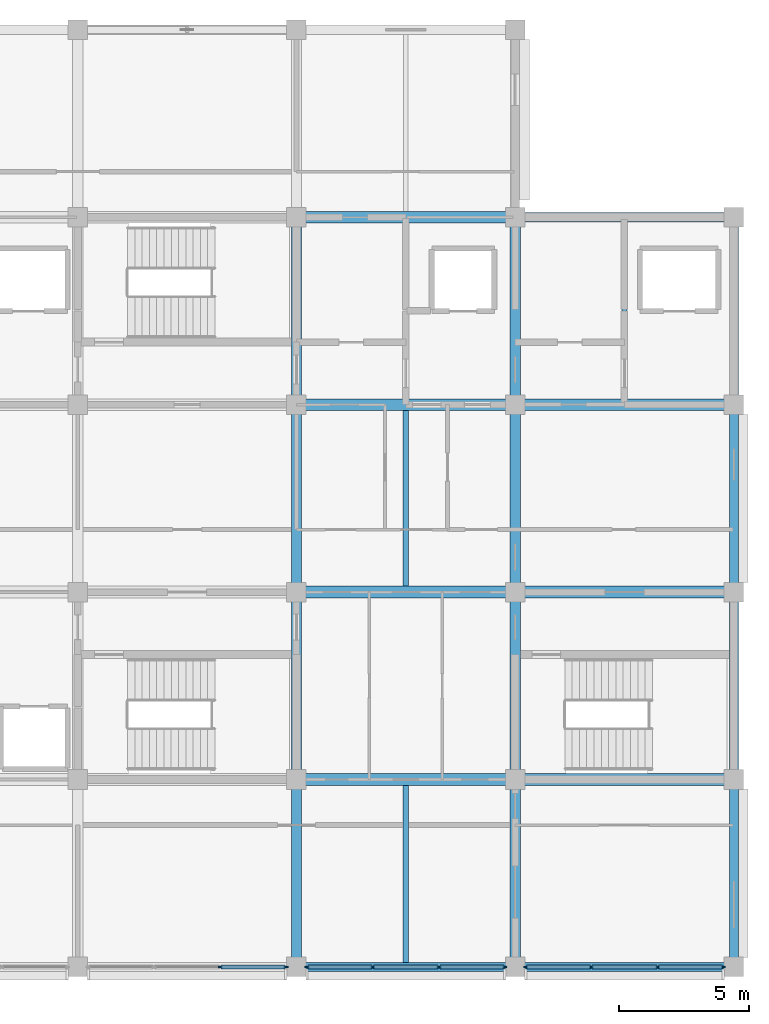
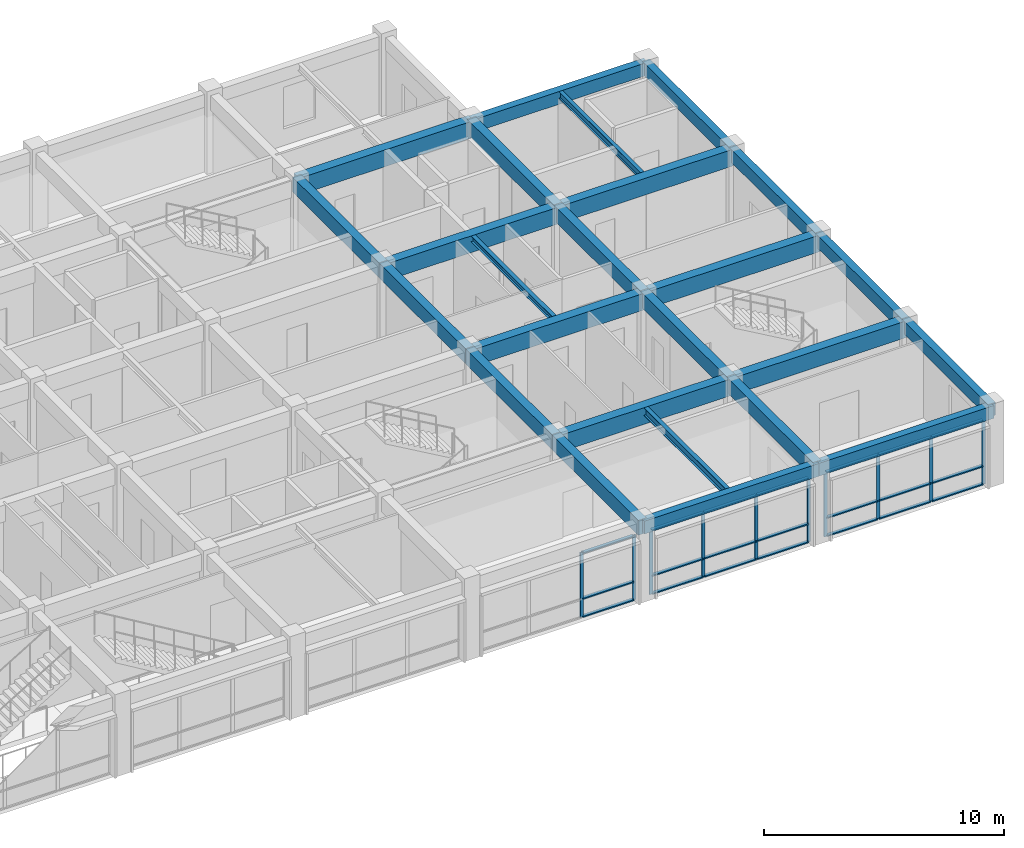
# One storey, part 9 of 27: 31 members, 25 beams, 3 elements without a shape of their own.
"""IFC4 building model written with IfcOpenShell, lengths in metres."""

from ifc_helpers import new_model, si_unit, direction, frame, origin, origin_2d, place, context, subcontext, project, spatial, rectangle, i_section, extrude, material, layer, layer_set, material_profile, profile_set, type_object, element, aggregate, save


model = new_model("IFC4")

# Units and contexts
model_context = context("Model", 3, precision=1e-05, world=origin(), true_north=direction((0.0, 1.0)))
body_context = subcontext(model_context, "Body", "Model", "MODEL_VIEW")
ifc_project = project(units=[si_unit("LENGTHUNIT", "METRE"), si_unit("AREAUNIT", "SQUARE_METRE"), si_unit("VOLUMEUNIT", "CUBIC_METRE"), si_unit("PLANEANGLEUNIT", "RADIAN"), si_unit("MASSUNIT", "GRAM", prefix="KILO")], contexts=[model_context])

# Site, building, storey
site_placement = place(None, origin())
site = spatial("IfcSite", under=ifc_project, at=site_placement, CompositionType="ELEMENT")
building_placement = place(site_placement, origin())
building = spatial("IfcBuilding", under=site, at=building_placement, Name="Chengyuan Square Courthouse", CompositionType="ELEMENT")
storey_placement = place(building_placement, frame((0.0, 0.0, 39.300048828125)))
storey = spatial("IfcBuildingStorey", under=building, at=storey_placement, Name="L09", CompositionType="ELEMENT", Elevation=39.300048828125)

# Beams
ifc_material_1 = material(Name="Concrete C40", Category="concrete")
ifc_material_profile_1 = material_profile(ifc_material_1, rectangle(XDim=0.449951171875, YDim=0.85009765625, at=origin_2d()), Name="RC-BM-450x850")
ifc_profile_set_1 = profile_set([ifc_material_profile_1], Name="Concrete C40")
beam_type_1 = type_object("IfcBeamType", Name="BM-01", PredefinedType="USERDEFINED", material=ifc_profile_set_1)
beam_1_placement = place(storey_placement, frame((109.199951171875, 86.39990234375, 3.52490234375), z_axis=(1.0, 0.0, 0.0), x_axis=(0.0, 1.0, 0.0)))
element("IfcBeam", 1, at=beam_1_placement, inside=storey, type_object=beam_type_1, Name="Girder BM-L09-3915", ObjectType="GIRDER", PredefinedType="USERDEFINED", context=body_context, shape_type="SweptSolid", body=[
    extrude(rectangle(XDim=0.449951171875, YDim=0.85009765625, at=origin_2d()), origin(), (0.0, 0.0, 1.0), 8.400146484375),
])
beam_2_placement = place(storey_placement, frame((117.60009765625, 86.39990234375, 3.52490234375), z_axis=(1.0, 0.0, 0.0), x_axis=(0.0, 1.0, 0.0)))
element("IfcBeam", 2, at=beam_2_placement, inside=storey, type_object=beam_type_1, Name="Girder BM-L09-3916", ObjectType="GIRDER", PredefinedType="USERDEFINED", context=body_context, shape_type="SweptSolid", body=[
    extrude(rectangle(XDim=0.449951171875, YDim=0.85009765625, at=origin_2d()), origin(), (0.0, 0.0, 1.0), 8.39990234375),
])
beam_3_placement = place(storey_placement, frame((109.199951171875, 93.60009765625, 3.52490234375), z_axis=(1.0, 0.0, 0.0), x_axis=(0.0, 1.0, 0.0)))
element("IfcBeam", 3, at=beam_3_placement, inside=storey, type_object=beam_type_1, Name="Girder BM-L09-3925", ObjectType="GIRDER", PredefinedType="USERDEFINED", context=body_context, shape_type="SweptSolid", body=[
    extrude(rectangle(XDim=0.449951171875, YDim=0.85009765625, at=origin_2d()), origin(), (0.0, 0.0, 1.0), 8.400146484375),
])
beam_4_placement = place(storey_placement, frame((117.60009765625, 93.60009765625, 3.52490234375), z_axis=(1.0, 0.0, 0.0), x_axis=(0.0, 1.0, 0.0)))
element("IfcBeam", 4, at=beam_4_placement, inside=storey, type_object=beam_type_1, Name="Girder BM-L09-3926", ObjectType="GIRDER", PredefinedType="USERDEFINED", context=body_context, shape_type="SweptSolid", body=[
    extrude(rectangle(XDim=0.449951171875, YDim=0.85009765625, at=origin_2d()), origin(), (0.0, 0.0, 1.0), 8.39990234375),
])
beam_5_placement = place(storey_placement, frame((109.199951171875, 100.800048828125, 3.52490234375), z_axis=(1.0, 0.0, 0.0), x_axis=(0.0, 1.0, 0.0)))
element("IfcBeam", 5, at=beam_5_placement, inside=storey, type_object=beam_type_1, Name="Girder BM-L09-3935", ObjectType="GIRDER", PredefinedType="USERDEFINED", context=body_context, shape_type="SweptSolid", body=[
    extrude(rectangle(XDim=0.449951171875, YDim=0.85009765625, at=origin_2d()), origin(), (0.0, 0.0, 1.0), 8.400146484375),
])
beam_6_placement = place(storey_placement, frame((117.60009765625, 100.800048828125, 3.52490234375), z_axis=(1.0, 0.0, 0.0), x_axis=(0.0, 1.0, 0.0)))
element("IfcBeam", 6, at=beam_6_placement, inside=storey, type_object=beam_type_1, Name="Girder BM-L09-3936", ObjectType="GIRDER", PredefinedType="USERDEFINED", context=body_context, shape_type="SweptSolid", body=[
    extrude(rectangle(XDim=0.449951171875, YDim=0.85009765625, at=origin_2d()), origin(), (0.0, 0.0, 1.0), 8.39990234375),
])
beam_7_placement = place(storey_placement, frame((109.199951171875, 108.0, 3.52490234375), z_axis=(1.0, 0.0, 0.0), x_axis=(0.0, 1.0, 0.0)))
element("IfcBeam", 7, at=beam_7_placement, inside=storey, type_object=beam_type_1, Name="Girder BM-L09-3945", ObjectType="GIRDER", PredefinedType="USERDEFINED", context=body_context, shape_type="SweptSolid", body=[
    extrude(rectangle(XDim=0.449951171875, YDim=0.85009765625, at=origin_2d()), origin(), (0.0, 0.0, 1.0), 8.400146484375),
])
ifc_material_profile_2 = material_profile(ifc_material_1, rectangle(XDim=0.39990234375, YDim=0.75, at=origin_2d()), Name="RC-BM-400x750")
ifc_profile_set_2 = profile_set([ifc_material_profile_2], Name="Concrete C40")
beam_type_2 = type_object("IfcBeamType", Name="BM-02", PredefinedType="USERDEFINED", material=ifc_profile_set_2)
beam_8_placement = place(storey_placement, frame((109.199951171875, 79.199951171875, 3.574951171875), z_axis=(0.0, 1.0, 0.0), x_axis=(-1.0, 0.0, 0.0)))
element("IfcBeam", 8, at=beam_8_placement, inside=storey, type_object=beam_type_2, Name="Girder BM-L09-3994", ObjectType="GIRDER", PredefinedType="USERDEFINED", context=body_context, shape_type="SweptSolid", body=[
    extrude(rectangle(XDim=0.39990234375, YDim=0.75, at=origin_2d()), origin(), (0.0, 0.0, 1.0), 7.199951171875),
])
beam_9_placement = place(storey_placement, frame((109.199951171875, 86.39990234375, 3.574951171875), z_axis=(0.0, 1.0, 0.0), x_axis=(-1.0, 0.0, 0.0)))
element("IfcBeam", 9, at=beam_9_placement, inside=storey, type_object=beam_type_2, Name="Girder BM-L09-3995", ObjectType="GIRDER", PredefinedType="USERDEFINED", context=body_context, shape_type="SweptSolid", body=[
    extrude(rectangle(XDim=0.39990234375, YDim=0.75, at=origin_2d()), origin(), (0.0, 0.0, 1.0), 7.2001953125),
])
for number, where, z_axis, x_axis, name in (
    (10, (109.199951171875, 93.60009765625, 3.574951171875), (0.0, 1.0, 0.0), (-1.0, 0.0, 0.0), "Girder BM-L09-3996"),
    (11, (109.199951171875, 100.800048828125, 3.574951171875), (0.0, 1.0, 0.0), (-1.0, 0.0, 0.0), "Girder BM-L09-3997"),
    (12, (117.60009765625, 79.199951171875, 3.574951171875), (0.0, 1.0, 0.0), (-1.0, 0.0, 0.0), "Girder BM-L09-3999"),
):
    element("IfcBeam", number, at=place(storey_placement, frame(where, z_axis=z_axis, x_axis=x_axis)), inside=storey, type_object=beam_type_2, Name=name, ObjectType="GIRDER", PredefinedType="USERDEFINED", context=body_context, shape_type="SweptSolid", body=[
        extrude(rectangle(XDim=0.39990234375, YDim=0.75, at=origin_2d()), origin(), (0.0, 0.0, 1.0), 7.199951171875),
    ])
beam_10_placement = place(storey_placement, frame((117.60009765625, 86.39990234375, 3.574951171875), z_axis=(0.0, 1.0, 0.0), x_axis=(-1.0, 0.0, 0.0)))
element("IfcBeam", 13, at=beam_10_placement, inside=storey, type_object=beam_type_2, Name="Girder BM-L09-4000", ObjectType="GIRDER", PredefinedType="USERDEFINED", context=body_context, shape_type="SweptSolid", body=[
    extrude(rectangle(XDim=0.39990234375, YDim=0.75, at=origin_2d()), origin(), (0.0, 0.0, 1.0), 7.2001953125),
])
for number, where, z_axis, x_axis, name in (
    (14, (117.60009765625, 93.60009765625, 3.574951171875), (0.0, 1.0, 0.0), (-1.0, 0.0, 0.0), "Girder BM-L09-4001"),
    (15, (117.60009765625, 100.800048828125, 3.574951171875), (0.0, 1.0, 0.0), (-1.0, 0.0, 0.0), "Girder BM-L09-4002"),
):
    element("IfcBeam", number, at=place(storey_placement, frame(where, z_axis=z_axis, x_axis=x_axis)), inside=storey, type_object=beam_type_2, Name=name, ObjectType="GIRDER", PredefinedType="USERDEFINED", context=body_context, shape_type="SweptSolid", body=[
        extrude(rectangle(XDim=0.39990234375, YDim=0.75, at=origin_2d()), origin(), (0.0, 0.0, 1.0), 7.199951171875),
    ])
ifc_material_profile_3 = material_profile(ifc_material_1, rectangle(XDim=0.35009765625, YDim=0.64990234375, at=origin_2d()), Name="RC-BM-350x650")
ifc_profile_set_3 = profile_set([ifc_material_profile_3], Name="Concrete C40")
beam_type_3 = type_object("IfcBeamType", Name="BM-03", PredefinedType="SPANDREL", material=ifc_profile_set_3)
beam_11_placement = place(storey_placement, frame((109.199951171875, 79.199951171875, 3.625), z_axis=(1.0, 0.0, 0.0), x_axis=(0.0, 1.0, 0.0)))
element("IfcBeam", 16, at=beam_11_placement, inside=storey, type_object=beam_type_3, Name="Girder BM-L09-3905", PredefinedType="SPANDREL", context=body_context, shape_type="SweptSolid", body=[
    extrude(rectangle(XDim=0.35009765625, YDim=0.64990234375, at=origin_2d()), origin(), (0.0, 0.0, 1.0), 8.400146484375),
])
for number, where, z_axis, x_axis, name in (
    (17, (117.60009765625, 79.199951171875, 3.625), (1.0, 0.0, 0.0), (0.0, 1.0, 0.0), "Girder BM-L09-3906"),
    (18, (117.60009765625, 108.0, 3.625), (1.0, 0.0, 0.0), (0.0, 1.0, 0.0), "Girder BM-L09-3946"),
):
    element("IfcBeam", number, at=place(storey_placement, frame(where, z_axis=z_axis, x_axis=x_axis)), inside=storey, type_object=beam_type_3, Name=name, PredefinedType="SPANDREL", context=body_context, shape_type="SweptSolid", body=[
        extrude(rectangle(XDim=0.35009765625, YDim=0.64990234375, at=origin_2d()), origin(), (0.0, 0.0, 1.0), 8.39990234375),
    ])
beam_12_placement = place(storey_placement, frame((126.0, 79.199951171875, 3.625), z_axis=(0.0, 1.0, 0.0), x_axis=(-1.0, 0.0, 0.0)))
element("IfcBeam", 19, at=beam_12_placement, inside=storey, type_object=beam_type_3, Name="Girder BM-L09-4004", PredefinedType="SPANDREL", context=body_context, shape_type="SweptSolid", body=[
    extrude(rectangle(XDim=0.35009765625, YDim=0.64990234375, at=origin_2d()), origin(), (0.0, 0.0, 1.0), 7.199951171875),
])
beam_13_placement = place(storey_placement, frame((126.0, 86.39990234375, 3.625), z_axis=(0.0, 1.0, 0.0), x_axis=(-1.0, 0.0, 0.0)))
element("IfcBeam", 20, at=beam_13_placement, inside=storey, type_object=beam_type_3, Name="Girder BM-L09-4005", PredefinedType="SPANDREL", context=body_context, shape_type="SweptSolid", body=[
    extrude(rectangle(XDim=0.35009765625, YDim=0.64990234375, at=origin_2d()), origin(), (0.0, 0.0, 1.0), 7.2001953125),
])
for number, where, z_axis, x_axis, name in (
    (21, (126.0, 93.60009765625, 3.625), (0.0, 1.0, 0.0), (-1.0, 0.0, 0.0), "Girder BM-L09-4006"),
    (22, (126.0, 100.800048828125, 3.625), (0.0, 1.0, 0.0), (-1.0, 0.0, 0.0), "Girder BM-L09-4007"),
):
    element("IfcBeam", number, at=place(storey_placement, frame(where, z_axis=z_axis, x_axis=x_axis)), inside=storey, type_object=beam_type_3, Name=name, PredefinedType="SPANDREL", context=body_context, shape_type="SweptSolid", body=[
        extrude(rectangle(XDim=0.35009765625, YDim=0.64990234375, at=origin_2d()), origin(), (0.0, 0.0, 1.0), 7.199951171875),
    ])
ifc_material_2 = material(Name="Steel Q355B", Category="steel")
ifc_material_profile_4 = material_profile(ifc_material_2, i_section(OverallWidth=0.199951171875, OverallDepth=0.39990234375, WebThickness=0.008056640625, FlangeThickness=0.012939453125, at=origin_2d()), Name="HN 400x200x8x13")
ifc_profile_set_4 = profile_set([ifc_material_profile_4], Name="Steel Q355B")
beam_type_4 = type_object("IfcBeamType", Name="BM-07", PredefinedType="BEAM", material=ifc_profile_set_4)
beam_14_placement = place(storey_placement, frame((113.39990234375, 79.375, 3.75), z_axis=(0.0, 1.0, 0.0), x_axis=(-1.0, 0.0, 0.0)))
element("IfcBeam", 23, at=beam_14_placement, inside=storey, type_object=beam_type_4, Name="Secondary Floor Beam SBM-L09-4022", PredefinedType="BEAM", context=body_context, shape_type="SweptSolid", body=[
    extrude(i_section(OverallWidth=0.199951171875, OverallDepth=0.39990234375, WebThickness=0.008056640625, FlangeThickness=0.012939453125, at=origin_2d()), origin(), (0.0, 0.0, 1.0), 6.800048828125),
])
ifc_material_profile_5 = material_profile(ifc_material_2, i_section(OverallWidth=0.175048828125, OverallDepth=0.35009765625, WebThickness=0.007080078125, FlangeThickness=0.010986328125, at=origin_2d()), Name="HN 350x175x7x11")
ifc_profile_set_5 = profile_set([ifc_material_profile_5], Name="Steel Q355B")
beam_type_5 = type_object("IfcBeamType", Name="BM-08", PredefinedType="BEAM", material=ifc_profile_set_5)
beam_15_placement = place(storey_placement, frame((121.800048828125, 101.02490234375, 3.77490234375), z_axis=(0.0, 1.0, 0.0), x_axis=(-1.0, 0.0, 0.0)))
element("IfcBeam", 24, at=beam_15_placement, inside=storey, type_object=beam_type_5, Name="Secondary Floor Beam SBM-L09-4025", PredefinedType="BEAM", context=body_context, shape_type="SweptSolid", body=[
    extrude(i_section(OverallWidth=0.175048828125, OverallDepth=0.35009765625, WebThickness=0.007080078125, FlangeThickness=0.010986328125, at=origin_2d()), origin(), (0.0, 0.0, 1.0), 6.800048828125),
])
ifc_material_profile_6 = material_profile(ifc_material_2, i_section(OverallWidth=0.199951171875, OverallDepth=0.300048828125, WebThickness=0.008056640625, FlangeThickness=0.011962890625, at=origin_2d()), Name="HM 300x200x8x12")
ifc_profile_set_6 = profile_set([ifc_material_profile_6], Name="Steel Q355B")
beam_type_6 = type_object("IfcBeamType", Name="BM-09", PredefinedType="BEAM", material=ifc_profile_set_6)
beam_16_placement = place(storey_placement, frame((113.39990234375, 93.824951171875, 3.800048828125), z_axis=(0.0, 1.0, 0.0), x_axis=(-1.0, 0.0, 0.0)))
element("IfcBeam", 25, at=beam_16_placement, inside=storey, type_object=beam_type_6, Name="Secondary Floor Beam SBM-L09-4023", PredefinedType="BEAM", context=body_context, shape_type="SweptSolid", body=[
    extrude(i_section(OverallWidth=0.199951171875, OverallDepth=0.300048828125, WebThickness=0.008056640625, FlangeThickness=0.011962890625, at=origin_2d()), origin(), (0.0, 0.0, 1.0), 6.75),
])

# Curtain wall, members
ifc_material_3 = material(Name="Unitised Aluminium and Triple Low-E Glass", Category="aluminium")
ifc_layer = layer(ifc_material_3, 0.159912109375)
ifc_layer_set = layer_set([ifc_layer], Name="Unitised Aluminium and Triple Low-E Glass")
curtain_wall_type = type_object("IfcCurtainWallType", Name="CW-01", PredefinedType="USERDEFINED", material=ifc_layer_set)
curtain_wall_1_placement = place(storey_placement, origin())
curtain_wall_1 = element("IfcCurtainWall", 26, at=curtain_wall_1_placement, inside=storey, type_object=curtain_wall_type, Name="Unitised Curtain Wall CW-L09-244", ObjectType="UNITISED CURTAIN WALL", PredefinedType="USERDEFINED")
ifc_material_4 = material(Name="Aluminium 6063-T6 Frame", Category="aluminium")
ifc_material_profile_7 = material_profile(ifc_material_4, rectangle(XDim=0.06005859375, YDim=0.159912109375, at=origin_2d()), Name="CW-MUL-60x160")
ifc_profile_set_7 = profile_set([ifc_material_profile_7], Name="Aluminium 6063-T6 Frame")
member_type_1 = type_object("IfcMemberType", Name="CWM-01", PredefinedType="MULLION", material=ifc_profile_set_7)
member_1_placement = place(storey_placement, frame((106.27490234375, 79.199951171875, 0.0), z_axis=(0.0, 0.0, 1.0), x_axis=(0.0, 1.0, 0.0)))
member_1 = element("IfcMember", 27, at=member_1_placement, type_object=member_type_1, Name="CW-01 mullion 3", PredefinedType="MULLION", context=body_context, shape_type="SweptSolid", body=[
    extrude(rectangle(XDim=0.06005859375, YDim=0.159912109375, at=origin_2d()), origin(), (0.0, 0.0, 1.0), 3.300048828125),
])
member_2_placement = place(storey_placement, frame((108.794921875, 79.199951171875, 0.0), z_axis=(0.0, 0.0, 1.0), x_axis=(0.0, 1.0, 0.0)))
member_2 = element("IfcMember", 28, at=member_2_placement, type_object=member_type_1, Name="CW-01 mullion 4", PredefinedType="MULLION", context=body_context, shape_type="SweptSolid", body=[
    extrude(rectangle(XDim=0.06005859375, YDim=0.159912109375, at=origin_2d()), origin(), (0.0, 0.0, 1.0), 3.300048828125),
])

curtain_wall_2_placement = place(storey_placement, origin())
curtain_wall_2 = element("IfcCurtainWall", 29, at=curtain_wall_2_placement, inside=storey, type_object=curtain_wall_type, Name="Unitised Curtain Wall CW-L09-245", ObjectType="UNITISED CURTAIN WALL", PredefinedType="USERDEFINED")
member_3_placement = place(storey_placement, frame((109.60498046875, 79.199951171875, 0.0), z_axis=(0.0, 0.0, 1.0), x_axis=(0.0, 1.0, 0.0)))
member_3 = element("IfcMember", 30, at=member_3_placement, type_object=member_type_1, Name="CW-01 mullion 1", PredefinedType="MULLION", context=body_context, shape_type="SweptSolid", body=[
    extrude(rectangle(XDim=0.06005859375, YDim=0.159912109375, at=origin_2d()), origin(), (0.0, 0.0, 1.0), 3.300048828125),
])
member_4_placement = place(storey_placement, frame((112.125, 79.199951171875, 0.0), z_axis=(0.0, 0.0, 1.0), x_axis=(0.0, 1.0, 0.0)))
member_4 = element("IfcMember", 31, at=member_4_placement, type_object=member_type_1, Name="CW-01 mullion 2", PredefinedType="MULLION", context=body_context, shape_type="SweptSolid", body=[
    extrude(rectangle(XDim=0.06005859375, YDim=0.159912109375, at=origin_2d()), origin(), (0.0, 0.0, 1.0), 3.300048828125),
])
member_5_placement = place(storey_placement, frame((114.675048828125, 79.199951171875, 0.0), z_axis=(0.0, 0.0, 1.0), x_axis=(0.0, 1.0, 0.0)))
member_5 = element("IfcMember", 32, at=member_5_placement, type_object=member_type_1, Name="CW-01 mullion 3", PredefinedType="MULLION", context=body_context, shape_type="SweptSolid", body=[
    extrude(rectangle(XDim=0.06005859375, YDim=0.159912109375, at=origin_2d()), origin(), (0.0, 0.0, 1.0), 3.300048828125),
])
member_6_placement = place(storey_placement, frame((117.195068359375, 79.199951171875, 0.0), z_axis=(0.0, 0.0, 1.0), x_axis=(0.0, 1.0, 0.0)))
member_6 = element("IfcMember", 33, at=member_6_placement, type_object=member_type_1, Name="CW-01 mullion 4", PredefinedType="MULLION", context=body_context, shape_type="SweptSolid", body=[
    extrude(rectangle(XDim=0.06005859375, YDim=0.159912109375, at=origin_2d()), origin(), (0.0, 0.0, 1.0), 3.300048828125),
])

curtain_wall_3_placement = place(storey_placement, origin())
curtain_wall_3 = element("IfcCurtainWall", 34, at=curtain_wall_3_placement, inside=storey, type_object=curtain_wall_type, Name="Unitised Curtain Wall CW-L09-246", ObjectType="UNITISED CURTAIN WALL", PredefinedType="USERDEFINED")
member_7_placement = place(storey_placement, frame((118.0048828125, 79.199951171875, 0.0), z_axis=(0.0, 0.0, 1.0), x_axis=(0.0, 1.0, 0.0)))
member_7 = element("IfcMember", 35, at=member_7_placement, type_object=member_type_1, Name="CW-01 mullion 1", PredefinedType="MULLION", context=body_context, shape_type="SweptSolid", body=[
    extrude(rectangle(XDim=0.06005859375, YDim=0.159912109375, at=origin_2d()), origin(), (0.0, 0.0, 1.0), 3.300048828125),
])
member_8_placement = place(storey_placement, frame((120.52490234375, 79.199951171875, 0.0), z_axis=(0.0, 0.0, 1.0), x_axis=(0.0, 1.0, 0.0)))
member_8 = element("IfcMember", 36, at=member_8_placement, type_object=member_type_1, Name="CW-01 mullion 2", PredefinedType="MULLION", context=body_context, shape_type="SweptSolid", body=[
    extrude(rectangle(XDim=0.06005859375, YDim=0.159912109375, at=origin_2d()), origin(), (0.0, 0.0, 1.0), 3.300048828125),
])
member_9_placement = place(storey_placement, frame((123.074951171875, 79.199951171875, 0.0), z_axis=(0.0, 0.0, 1.0), x_axis=(0.0, 1.0, 0.0)))
member_9 = element("IfcMember", 37, at=member_9_placement, type_object=member_type_1, Name="CW-01 mullion 3", PredefinedType="MULLION", context=body_context, shape_type="SweptSolid", body=[
    extrude(rectangle(XDim=0.06005859375, YDim=0.159912109375, at=origin_2d()), origin(), (0.0, 0.0, 1.0), 3.300048828125),
])
member_10_placement = place(storey_placement, frame((125.594970703125, 79.199951171875, 0.0), z_axis=(0.0, 0.0, 1.0), x_axis=(0.0, 1.0, 0.0)))
member_10 = element("IfcMember", 38, at=member_10_placement, type_object=member_type_1, Name="CW-01 mullion 4", PredefinedType="MULLION", context=body_context, shape_type="SweptSolid", body=[
    extrude(rectangle(XDim=0.06005859375, YDim=0.159912109375, at=origin_2d()), origin(), (0.0, 0.0, 1.0), 3.300048828125),
])

# Member
ifc_material_profile_8 = material_profile(ifc_material_4, rectangle(XDim=0.159912109375, YDim=0.06005859375, at=origin_2d()), Name="CW-TRN-60x120")
ifc_profile_set_8 = profile_set([ifc_material_profile_8], Name="Aluminium 6063-T6 Frame")
member_type_2 = type_object("IfcMemberType", Name="CWT-01", PredefinedType="USERDEFINED", material=ifc_profile_set_8)
member_11_placement = place(storey_placement, frame((106.304931640625, 79.199951171875, 0.030029296875), z_axis=(1.0, 0.0, 0.0), x_axis=(0.0, 1.0, 0.0)))
member_11 = element("IfcMember", 39, at=member_11_placement, type_object=member_type_2, Name="CW-01 transom 3.1", ObjectType="TRANSOM", PredefinedType="USERDEFINED", context=body_context, shape_type="SweptSolid", body=[
    extrude(rectangle(XDim=0.159912109375, YDim=0.06005859375, at=origin_2d()), origin(), (0.0, 0.0, 1.0), 2.4599609375),
])

member_12_placement = place(storey_placement, frame((106.304931640625, 79.199951171875, 0.949951171875), z_axis=(1.0, 0.0, 0.0), x_axis=(0.0, 1.0, 0.0)))
member_12 = element("IfcMember", 40, at=member_12_placement, type_object=member_type_2, Name="CW-01 transom 3.2", ObjectType="TRANSOM", PredefinedType="USERDEFINED", context=body_context, shape_type="SweptSolid", body=[
    extrude(rectangle(XDim=0.159912109375, YDim=0.06005859375, at=origin_2d()), origin(), (0.0, 0.0, 1.0), 2.4599609375),
])

member_13_placement = place(storey_placement, frame((106.304931640625, 79.199951171875, 3.27001953125), z_axis=(1.0, 0.0, 0.0), x_axis=(0.0, 1.0, 0.0)))
member_13 = element("IfcMember", 41, at=member_13_placement, type_object=member_type_2, Name="CW-01 transom 3.3", ObjectType="TRANSOM", PredefinedType="USERDEFINED", context=body_context, shape_type="SweptSolid", body=[
    extrude(rectangle(XDim=0.159912109375, YDim=0.06005859375, at=origin_2d()), origin(), (0.0, 0.0, 1.0), 2.4599609375),
])

aggregate(curtain_wall_1, [member_1, member_2, member_11, member_12, member_13])

member_14_placement = place(storey_placement, frame((109.635009765625, 79.199951171875, 0.030029296875), z_axis=(1.0, 0.0, 0.0), x_axis=(0.0, 1.0, 0.0)))
member_14 = element("IfcMember", 42, at=member_14_placement, type_object=member_type_2, Name="CW-01 transom 1.1", ObjectType="TRANSOM", PredefinedType="USERDEFINED", context=body_context, shape_type="SweptSolid", body=[
    extrude(rectangle(XDim=0.159912109375, YDim=0.06005859375, at=origin_2d()), origin(), (0.0, 0.0, 1.0), 2.4599609375),
])

member_15_placement = place(storey_placement, frame((109.635009765625, 79.199951171875, 0.949951171875), z_axis=(1.0, 0.0, 0.0), x_axis=(0.0, 1.0, 0.0)))
member_15 = element("IfcMember", 43, at=member_15_placement, type_object=member_type_2, Name="CW-01 transom 1.2", ObjectType="TRANSOM", PredefinedType="USERDEFINED", context=body_context, shape_type="SweptSolid", body=[
    extrude(rectangle(XDim=0.159912109375, YDim=0.06005859375, at=origin_2d()), origin(), (0.0, 0.0, 1.0), 2.4599609375),
])

member_16_placement = place(storey_placement, frame((109.635009765625, 79.199951171875, 3.27001953125), z_axis=(1.0, 0.0, 0.0), x_axis=(0.0, 1.0, 0.0)))
member_16 = element("IfcMember", 44, at=member_16_placement, type_object=member_type_2, Name="CW-01 transom 1.3", ObjectType="TRANSOM", PredefinedType="USERDEFINED", context=body_context, shape_type="SweptSolid", body=[
    extrude(rectangle(XDim=0.159912109375, YDim=0.06005859375, at=origin_2d()), origin(), (0.0, 0.0, 1.0), 2.4599609375),
])

member_17_placement = place(storey_placement, frame((112.155029296875, 79.199951171875, 0.030029296875), z_axis=(1.0, 0.0, 0.0), x_axis=(0.0, 1.0, 0.0)))
member_17 = element("IfcMember", 45, at=member_17_placement, type_object=member_type_2, Name="CW-01 transom 2.1", ObjectType="TRANSOM", PredefinedType="USERDEFINED", context=body_context, shape_type="SweptSolid", body=[
    extrude(rectangle(XDim=0.159912109375, YDim=0.06005859375, at=origin_2d()), origin(), (0.0, 0.0, 1.0), 2.489990234375),
])

member_18_placement = place(storey_placement, frame((112.155029296875, 79.199951171875, 0.949951171875), z_axis=(1.0, 0.0, 0.0), x_axis=(0.0, 1.0, 0.0)))
member_18 = element("IfcMember", 46, at=member_18_placement, type_object=member_type_2, Name="CW-01 transom 2.2", ObjectType="TRANSOM", PredefinedType="USERDEFINED", context=body_context, shape_type="SweptSolid", body=[
    extrude(rectangle(XDim=0.159912109375, YDim=0.06005859375, at=origin_2d()), origin(), (0.0, 0.0, 1.0), 2.489990234375),
])

member_19_placement = place(storey_placement, frame((112.155029296875, 79.199951171875, 3.27001953125), z_axis=(1.0, 0.0, 0.0), x_axis=(0.0, 1.0, 0.0)))
member_19 = element("IfcMember", 47, at=member_19_placement, type_object=member_type_2, Name="CW-01 transom 2.3", ObjectType="TRANSOM", PredefinedType="USERDEFINED", context=body_context, shape_type="SweptSolid", body=[
    extrude(rectangle(XDim=0.159912109375, YDim=0.06005859375, at=origin_2d()), origin(), (0.0, 0.0, 1.0), 2.489990234375),
])

member_20_placement = place(storey_placement, frame((114.705078125, 79.199951171875, 0.030029296875), z_axis=(1.0, 0.0, 0.0), x_axis=(0.0, 1.0, 0.0)))
member_20 = element("IfcMember", 48, at=member_20_placement, type_object=member_type_2, Name="CW-01 transom 3.1", ObjectType="TRANSOM", PredefinedType="USERDEFINED", context=body_context, shape_type="SweptSolid", body=[
    extrude(rectangle(XDim=0.159912109375, YDim=0.06005859375, at=origin_2d()), origin(), (0.0, 0.0, 1.0), 2.4599609375),
])

member_21_placement = place(storey_placement, frame((114.705078125, 79.199951171875, 0.949951171875), z_axis=(1.0, 0.0, 0.0), x_axis=(0.0, 1.0, 0.0)))
member_21 = element("IfcMember", 49, at=member_21_placement, type_object=member_type_2, Name="CW-01 transom 3.2", ObjectType="TRANSOM", PredefinedType="USERDEFINED", context=body_context, shape_type="SweptSolid", body=[
    extrude(rectangle(XDim=0.159912109375, YDim=0.06005859375, at=origin_2d()), origin(), (0.0, 0.0, 1.0), 2.4599609375),
])

member_22_placement = place(storey_placement, frame((114.705078125, 79.199951171875, 3.27001953125), z_axis=(1.0, 0.0, 0.0), x_axis=(0.0, 1.0, 0.0)))
member_22 = element("IfcMember", 50, at=member_22_placement, type_object=member_type_2, Name="CW-01 transom 3.3", ObjectType="TRANSOM", PredefinedType="USERDEFINED", context=body_context, shape_type="SweptSolid", body=[
    extrude(rectangle(XDim=0.159912109375, YDim=0.06005859375, at=origin_2d()), origin(), (0.0, 0.0, 1.0), 2.4599609375),
])

aggregate(curtain_wall_2, [member_3, member_4, member_5, member_6, member_14, member_15, member_16, member_17, member_18, member_19, member_20, member_21, member_22])

member_23_placement = place(storey_placement, frame((118.034912109375, 79.199951171875, 0.030029296875), z_axis=(1.0, 0.0, 0.0), x_axis=(0.0, 1.0, 0.0)))
member_23 = element("IfcMember", 51, at=member_23_placement, type_object=member_type_2, Name="CW-01 transom 1.1", ObjectType="TRANSOM", PredefinedType="USERDEFINED", context=body_context, shape_type="SweptSolid", body=[
    extrude(rectangle(XDim=0.159912109375, YDim=0.06005859375, at=origin_2d()), origin(), (0.0, 0.0, 1.0), 2.460205078125),
])

member_24_placement = place(storey_placement, frame((118.034912109375, 79.199951171875, 0.949951171875), z_axis=(1.0, 0.0, 0.0), x_axis=(0.0, 1.0, 0.0)))
member_24 = element("IfcMember", 52, at=member_24_placement, type_object=member_type_2, Name="CW-01 transom 1.2", ObjectType="TRANSOM", PredefinedType="USERDEFINED", context=body_context, shape_type="SweptSolid", body=[
    extrude(rectangle(XDim=0.159912109375, YDim=0.06005859375, at=origin_2d()), origin(), (0.0, 0.0, 1.0), 2.460205078125),
])

member_25_placement = place(storey_placement, frame((118.034912109375, 79.199951171875, 3.27001953125), z_axis=(1.0, 0.0, 0.0), x_axis=(0.0, 1.0, 0.0)))
member_25 = element("IfcMember", 53, at=member_25_placement, type_object=member_type_2, Name="CW-01 transom 1.3", ObjectType="TRANSOM", PredefinedType="USERDEFINED", context=body_context, shape_type="SweptSolid", body=[
    extrude(rectangle(XDim=0.159912109375, YDim=0.06005859375, at=origin_2d()), origin(), (0.0, 0.0, 1.0), 2.460205078125),
])

member_26_placement = place(storey_placement, frame((120.554931640625, 79.199951171875, 0.030029296875), z_axis=(1.0, 0.0, 0.0), x_axis=(0.0, 1.0, 0.0)))
member_26 = element("IfcMember", 54, at=member_26_placement, type_object=member_type_2, Name="CW-01 transom 2.1", ObjectType="TRANSOM", PredefinedType="USERDEFINED", context=body_context, shape_type="SweptSolid", body=[
    extrude(rectangle(XDim=0.159912109375, YDim=0.06005859375, at=origin_2d()), origin(), (0.0, 0.0, 1.0), 2.489990234375),
])

member_27_placement = place(storey_placement, frame((120.554931640625, 79.199951171875, 0.949951171875), z_axis=(1.0, 0.0, 0.0), x_axis=(0.0, 1.0, 0.0)))
member_27 = element("IfcMember", 55, at=member_27_placement, type_object=member_type_2, Name="CW-01 transom 2.2", ObjectType="TRANSOM", PredefinedType="USERDEFINED", context=body_context, shape_type="SweptSolid", body=[
    extrude(rectangle(XDim=0.159912109375, YDim=0.06005859375, at=origin_2d()), origin(), (0.0, 0.0, 1.0), 2.489990234375),
])

member_28_placement = place(storey_placement, frame((120.554931640625, 79.199951171875, 3.27001953125), z_axis=(1.0, 0.0, 0.0), x_axis=(0.0, 1.0, 0.0)))
member_28 = element("IfcMember", 56, at=member_28_placement, type_object=member_type_2, Name="CW-01 transom 2.3", ObjectType="TRANSOM", PredefinedType="USERDEFINED", context=body_context, shape_type="SweptSolid", body=[
    extrude(rectangle(XDim=0.159912109375, YDim=0.06005859375, at=origin_2d()), origin(), (0.0, 0.0, 1.0), 2.489990234375),
])

member_29_placement = place(storey_placement, frame((123.10498046875, 79.199951171875, 0.030029296875), z_axis=(1.0, 0.0, 0.0), x_axis=(0.0, 1.0, 0.0)))
member_29 = element("IfcMember", 57, at=member_29_placement, type_object=member_type_2, Name="CW-01 transom 3.1", ObjectType="TRANSOM", PredefinedType="USERDEFINED", context=body_context, shape_type="SweptSolid", body=[
    extrude(rectangle(XDim=0.159912109375, YDim=0.06005859375, at=origin_2d()), origin(), (0.0, 0.0, 1.0), 2.4599609375),
])

member_30_placement = place(storey_placement, frame((123.10498046875, 79.199951171875, 0.949951171875), z_axis=(1.0, 0.0, 0.0), x_axis=(0.0, 1.0, 0.0)))
member_30 = element("IfcMember", 58, at=member_30_placement, type_object=member_type_2, Name="CW-01 transom 3.2", ObjectType="TRANSOM", PredefinedType="USERDEFINED", context=body_context, shape_type="SweptSolid", body=[
    extrude(rectangle(XDim=0.159912109375, YDim=0.06005859375, at=origin_2d()), origin(), (0.0, 0.0, 1.0), 2.4599609375),
])

member_31_placement = place(storey_placement, frame((123.10498046875, 79.199951171875, 3.27001953125), z_axis=(1.0, 0.0, 0.0), x_axis=(0.0, 1.0, 0.0)))
member_31 = element("IfcMember", 59, at=member_31_placement, type_object=member_type_2, Name="CW-01 transom 3.3", ObjectType="TRANSOM", PredefinedType="USERDEFINED", context=body_context, shape_type="SweptSolid", body=[
    extrude(rectangle(XDim=0.159912109375, YDim=0.06005859375, at=origin_2d()), origin(), (0.0, 0.0, 1.0), 2.4599609375),
])

aggregate(curtain_wall_3, [member_7, member_8, member_9, member_10, member_23, member_24, member_25, member_26, member_27, member_28, member_29, member_30, member_31])

save(model, "model.ifc")
